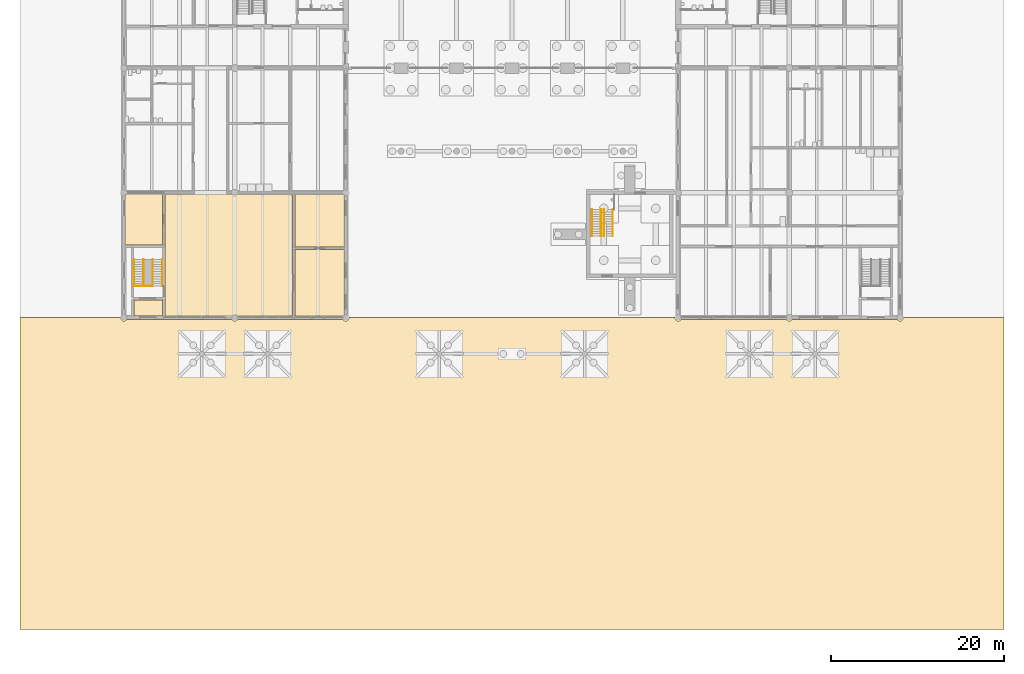
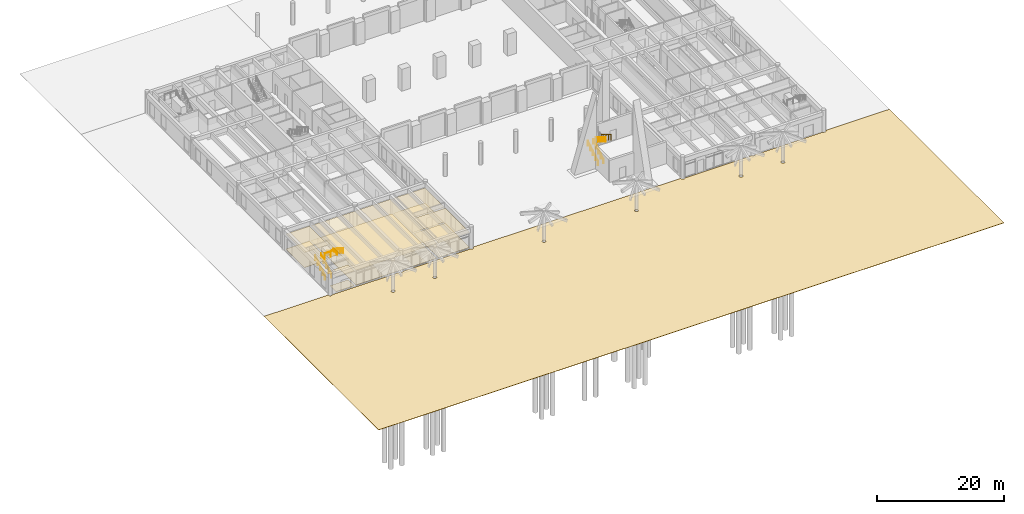
# One storey, part 23 of 28: 11 coverings, 9 railings.
"""IFC4 building model written with IfcOpenShell, lengths in metres."""

from ifc_helpers import new_model, si_unit, direction, frame, origin, origin_2d, place, context, subcontext, project, spatial, polyline, circle, outline, extrude, material, layer, layer_set, type_object, element, save


model = new_model("IFC4")

# Units and contexts
model_context = context("Model", 3, precision=1e-05, world=origin(), true_north=direction((0.0, 1.0)))
body_context = subcontext(model_context, "Body", "Model", "MODEL_VIEW")
ifc_project = project(units=[si_unit("LENGTHUNIT", "METRE"), si_unit("AREAUNIT", "SQUARE_METRE"), si_unit("VOLUMEUNIT", "CUBIC_METRE"), si_unit("PLANEANGLEUNIT", "RADIAN"), si_unit("MASSUNIT", "GRAM", prefix="KILO")], contexts=[model_context])

# Site, building, storey
site_placement = place(None, origin())
site = spatial("IfcSite", under=ifc_project, at=site_placement, CompositionType="ELEMENT")
building_placement = place(site_placement, origin())
building = spatial("IfcBuilding", under=site, at=building_placement, Name="Fogon Plaza Fire Station and Headquarters Tower", CompositionType="ELEMENT")
storey_placement = place(building_placement, origin())
storey = spatial("IfcBuildingStorey", under=building, at=storey_placement, Name="L00", CompositionType="ELEMENT", Elevation=0.0)

# Coverings
ifc_material_1 = material(Name="Carpet Tile Floor Finish")
ifc_layer_1 = layer(ifc_material_1, 0.011962890625)
ifc_layer_set_1 = layer_set([ifc_layer_1], Name="Carpet Tile Floor Finish")
covering_type_1 = type_object("IfcCoveringType", Name="Floor Finish Carpet 12", PredefinedType="FLOORING", material=ifc_layer_set_1)
covering_1_placement = place(storey_placement, origin())
element("IfcCovering", 1, at=covering_1_placement, inside=storey, type_object=covering_type_1, Name="floor-L00-W-duty", PredefinedType="FLOORING", context=body_context, shape_type="SweptSolid", body=[
    extrude(outline(polyline([(19.75, 8.14990234375), (19.75, 14.25), (25.449951171875, 14.25), (25.449951171875, 8.14990234375), (19.75, 8.14990234375)])), origin(), (0.0, 0.0, 1.0), 0.02490234375),
])
covering_2_placement = place(storey_placement, origin())
element("IfcCovering", 2, at=covering_2_placement, inside=storey, type_object=covering_type_1, Name="floor-L00-W-sec", PredefinedType="FLOORING", context=body_context, shape_type="SweptSolid", body=[
    extrude(outline(polyline([(0.14990234375, 8.35009765625), (0.14990234375, 14.25), (4.449951171875, 14.25), (4.449951171875, 8.35009765625), (0.14990234375, 8.35009765625)])), origin(), (0.0, 0.0, 1.0), 0.02490234375),
])
ifc_material_2 = material(Name="Terrazzo Floor Finish")
ifc_layer_2 = layer(ifc_material_2, 0.02490234375)
ifc_layer_set_2 = layer_set([ifc_layer_2], Name="Terrazzo Floor Finish")
covering_type_2 = type_object("IfcCoveringType", Name="Floor Finish Terrazzo 25", PredefinedType="FLOORING", material=ifc_layer_set_2)
covering_3_placement = place(storey_placement, origin())
element("IfcCovering", 3, at=covering_3_placement, inside=storey, type_object=covering_type_2, Name="floor-L00-W-hql", PredefinedType="FLOORING", context=body_context, shape_type="SweptSolid", body=[
    extrude(outline(polyline([(4.75, 0.14990234375), (4.75, 14.25), (19.449951171875, 14.25), (19.449951171875, 0.14990234375), (4.75, 0.14990234375)])), origin(), (0.0, 0.0, 1.0), 0.02490234375),
])
covering_4_placement = place(storey_placement, origin())
element("IfcCovering", 4, at=covering_4_placement, inside=storey, type_object=covering_type_2, Name="floor-L00-W-sel", PredefinedType="FLOORING", context=body_context, shape_type="SweptSolid", body=[
    extrude(outline(polyline([(19.75, 0.14990234375), (19.75, 7.85009765625), (25.449951171875, 7.85009765625), (25.449951171875, 0.14990234375), (19.75, 0.14990234375)])), origin(), (0.0, 0.0, 1.0), 0.02490234375),
])
ifc_material_3 = material(Name="Vinyl Floor Finish")
ifc_layer_3 = layer(ifc_material_3, 0.02490234375)
ifc_layer_set_3 = layer_set([ifc_layer_3], Name="Vinyl Floor Finish")
covering_type_3 = type_object("IfcCoveringType", Name="Floor Finish Vinyl 25", PredefinedType="FLOORING", material=ifc_layer_set_3)
covering_5_placement = place(storey_placement, origin())
element("IfcCovering", 5, at=covering_5_placement, inside=storey, type_object=covering_type_3, Name="Floor finish L00 west wing Stair Exit Passage South", PredefinedType="FLOORING", context=body_context, shape_type="SweptSolid", body=[
    extrude(outline(polyline([(1.14990234375, 0.14990234375), (1.14990234375, 2.050048828125), (4.449951171875, 2.050048828125), (4.449951171875, 0.14990234375), (1.14990234375, 0.14990234375)])), origin(), (0.0, 0.0, 1.0), 0.02490234375),
])
ifc_material_4 = material(Name="Granite paving", Category="masonry")
ifc_layer_4 = layer(ifc_material_4, 0.06005859375)
ifc_layer_set_4 = layer_set([ifc_layer_4], Name="Granite paving")
covering_type_4 = type_object("IfcCoveringType", Name="Granite Plaza Paving 60", PredefinedType="USERDEFINED", material=ifc_layer_set_4)
covering_6_placement = place(storey_placement, frame((0.0, 0.0, -0.06005859375)))
element("IfcCovering", 6, at=covering_6_placement, inside=storey, type_object=covering_type_4, Name="Paving plaza", ObjectType="PAVING", PredefinedType="USERDEFINED", context=body_context, shape_type="SweptSolid", body=[
    extrude(outline(polyline([(-11.9951171875, -35.9951171875), (-11.9951171875, 0.0), (-0.39990234375, 0.0), (-0.36962890625, -0.153076171875), (-0.28271484375, -0.28271484375), (-0.153076171875, -0.36962890625), (0.0, -0.39990234375), (0.153076171875, -0.36962890625), (0.28271484375, -0.28271484375), (0.321533203125, -0.22509765625), (12.478515625, -0.22509765625), (12.51708984375, -0.28271484375), (12.64697265625, -0.36962890625), (12.800048828125, -0.39990234375), (12.953125, -0.36962890625), (13.082763671875, -0.28271484375), (13.12158203125, -0.22509765625), (25.278564453125, -0.22509765625), (25.317138671875, -0.28271484375), (25.447021484375, -0.36962890625), (25.60009765625, -0.39990234375), (25.753173828125, -0.36962890625), (25.8828125, -0.28271484375), (25.969482421875, -0.153076171875), (26.0, 0.0), (63.60009765625, 0.0), (63.63037109375, -0.153076171875), (63.71728515625, -0.28271484375), (63.846923828125, -0.36962890625), (64.0, -0.39990234375), (64.153076171875, -0.36962890625), (64.28271484375, -0.28271484375), (64.321533203125, -0.22509765625), (76.478515625, -0.22509765625), (76.51708984375, -0.28271484375), (76.64697265625, -0.36962890625), (76.800048828125, -0.39990234375), (76.953125, -0.36962890625), (77.082763671875, -0.28271484375), (77.12158203125, -0.22509765625), (89.278564453125, -0.22509765625), (89.317138671875, -0.28271484375), (89.447021484375, -0.36962890625), (89.60009765625, -0.39990234375), (89.753173828125, -0.36962890625), (89.8828125, -0.28271484375), (89.969482421875, -0.153076171875), (90.0, 0.0), (101.594970703125, 0.0), (101.594970703125, -35.9951171875), (-11.9951171875, -35.9951171875)]), holes=[polyline([(16.485107421875, -4.477294921875), (16.60009765625, -4.5), (16.71484375, -4.477294921875), (16.81201171875, -4.412109375), (16.877197265625, -4.314697265625), (16.89990234375, -4.199951171875), (16.877197265625, -4.085205078125), (16.81201171875, -3.98779296875), (16.71484375, -3.9228515625), (16.60009765625, -3.89990234375), (16.485107421875, -3.9228515625), (16.387939453125, -3.98779296875), (16.32275390625, -4.085205078125), (16.300048828125, -4.199951171875), (16.32275390625, -4.314697265625), (16.387939453125, -4.412109375), (16.485107421875, -4.477294921875)]), polyline([(8.88525390625, -4.477294921875), (9.0, -4.5), (9.11474609375, -4.477294921875), (9.212158203125, -4.412109375), (9.277099609375, -4.314697265625), (9.300048828125, -4.199951171875), (9.277099609375, -4.085205078125), (9.212158203125, -3.98779296875), (9.11474609375, -3.9228515625), (9.0, -3.89990234375), (8.88525390625, -3.9228515625), (8.787841796875, -3.98779296875), (8.722900390625, -4.085205078125), (8.699951171875, -4.199951171875), (8.722900390625, -4.314697265625), (8.787841796875, -4.412109375), (8.88525390625, -4.477294921875)]), polyline([(36.28515625, -4.477294921875), (36.39990234375, -4.5), (36.514892578125, -4.477294921875), (36.612060546875, -4.412109375), (36.67724609375, -4.314697265625), (36.699951171875, -4.199951171875), (36.67724609375, -4.085205078125), (36.612060546875, -3.98779296875), (36.514892578125, -3.9228515625), (36.39990234375, -3.89990234375), (36.28515625, -3.9228515625), (36.18798828125, -3.98779296875), (36.122802734375, -4.085205078125), (36.10009765625, -4.199951171875), (36.122802734375, -4.314697265625), (36.18798828125, -4.412109375), (36.28515625, -4.477294921875)]), polyline([(53.085205078125, -4.477294921875), (53.199951171875, -4.5), (53.314697265625, -4.477294921875), (53.412109375, -4.412109375), (53.477294921875, -4.314697265625), (53.5, -4.199951171875), (53.477294921875, -4.085205078125), (53.412109375, -3.98779296875), (53.314697265625, -3.9228515625), (53.199951171875, -3.89990234375), (53.085205078125, -3.9228515625), (52.98779296875, -3.98779296875), (52.9228515625, -4.085205078125), (52.89990234375, -4.199951171875), (52.9228515625, -4.314697265625), (52.98779296875, -4.412109375), (53.085205078125, -4.477294921875)]), polyline([(71.98779296875, -4.412109375), (72.085205078125, -4.477294921875), (72.199951171875, -4.5), (72.314697265625, -4.477294921875), (72.412109375, -4.412109375), (72.477294921875, -4.314697265625), (72.5, -4.199951171875), (72.477294921875, -4.085205078125), (72.412109375, -3.98779296875), (72.314697265625, -3.9228515625), (72.199951171875, -3.89990234375), (72.085205078125, -3.9228515625), (71.98779296875, -3.98779296875), (71.9228515625, -4.085205078125), (71.89990234375, -4.199951171875), (71.9228515625, -4.314697265625), (71.98779296875, -4.412109375)]), polyline([(79.587890625, -4.412109375), (79.685302734375, -4.477294921875), (79.800048828125, -4.5), (79.914794921875, -4.477294921875), (80.01220703125, -4.412109375), (80.0771484375, -4.314697265625), (80.10009765625, -4.199951171875), (80.0771484375, -4.085205078125), (80.01220703125, -3.98779296875), (79.914794921875, -3.9228515625), (79.800048828125, -3.89990234375), (79.685302734375, -3.9228515625), (79.587890625, -3.98779296875), (79.522705078125, -4.085205078125), (79.5, -4.199951171875), (79.522705078125, -4.314697265625), (79.587890625, -4.412109375)])]), origin(), (0.0, 0.0, 1.0), 0.06005859375),
])

# Railings
ifc_material_5 = material(Name="Stainless Steel", Category="steel")
railing_type_1 = type_object("IfcRailingType", Name="Guard Steel 1100", PredefinedType="GUARDRAIL", material=ifc_material_5)
railing_1_placement = place(storey_placement, frame((1.125, 3.625, 4.199951171875)))
element("IfcRailing", 7, at=railing_1_placement, inside=storey, type_object=railing_type_1, Name="rail-ST6-L00-5", PredefinedType="GUARDRAIL", context=body_context, shape_type="SweptSolid", body=[
    extrude(circle(Radius=0.02392578125, at=origin_2d()), frame((0.0, 0.0, 1.076171875), z_axis=(1.0, 0.0, 0.0), x_axis=(0.0, 1.0, 0.0)), (0.0, 0.0, 1.0), 2.14990234375),
    extrude(circle(Radius=0.02099609375, at=origin_2d()), origin(), (0.0, 0.0, 1.0), 1.052001953125),
    extrude(circle(Radius=0.02099609375, at=origin_2d()), frame((1.074951171875, 0.0, 0.0)), (0.0, 0.0, 1.0), 1.052001953125),
    extrude(circle(Radius=0.02099609375, at=origin_2d()), frame((2.14990234375, 0.0, 0.0)), (0.0, 0.0, 1.0), 1.052001953125),
])
railing_2_placement = place(storey_placement, frame((56.429931640625, 12.47998046875, 2.27490234375)))
element("IfcRailing", 8, at=railing_2_placement, inside=storey, type_object=railing_type_1, Name="rail-DT1-L00-4", PredefinedType="GUARDRAIL", context=body_context, shape_type="SweptSolid", body=[
    extrude(circle(Radius=0.02392578125, at=origin_2d()), frame((0.0, 0.0, 1.076171875), z_axis=(0.0, -0.847998304005, 0.529998940003), x_axis=(1.0, 0.0, 0.0)), (0.0, 0.0, 1.0), 3.632080078125),
    extrude(circle(Radius=0.02099609375, at=origin_2d()), origin(), (0.0, 0.0, 1.0), 1.052001953125),
    extrude(circle(Radius=0.02099609375, at=origin_2d()), frame((0.0, -0.77001953125, 0.481201171875)), (0.0, 0.0, 1.0), 1.052001953125),
    extrude(circle(Radius=0.02099609375, at=origin_2d()), frame((0.0, -1.5400390625, 0.96240234375)), (0.0, 0.0, 1.0), 1.052001953125),
    extrude(circle(Radius=0.02099609375, at=origin_2d()), frame((0.0, -2.31005859375, 1.44384765625)), (0.0, 0.0, 1.0), 1.052001953125),
    extrude(circle(Radius=0.02099609375, at=origin_2d()), frame((0.0, -3.080078125, 1.925048828125)), (0.0, 0.0, 1.0), 1.052001953125),
])
ifc_material_6 = material(Name="Stainless Steel", Category="steel")
railing_type_2 = type_object("IfcRailingType", Name="Stair Handrail Steel 900", PredefinedType="HANDRAIL", material=ifc_material_6)
for number, where, name in (
    (9, (1.175048828125, 3.625, 0.175048828125), "rail-ST6-L00-1"),
    (10, (2.27490234375, 3.625, 0.175048828125), "rail-ST6-L00-2"),
):
    element("IfcRailing", number, at=place(storey_placement, frame(where)), inside=storey, type_object=railing_type_2, Name=name, PredefinedType="HANDRAIL", context=body_context, shape_type="SweptSolid", body=[
        extrude(circle(Radius=0.02392578125, at=origin_2d()), frame((0.0, 0.0, 0.8759765625), z_axis=(0.0, 0.847998304005, 0.529998940003), x_axis=(-1.0, 0.0, 0.0)), (0.0, 0.0, 1.0), 3.632080078125),
        extrude(circle(Radius=0.02099609375, at=origin_2d()), origin(), (0.0, 0.0, 1.0), 0.851806640625),
        extrude(circle(Radius=0.02099609375, at=origin_2d()), frame((0.0, 0.77001953125, 0.481201171875)), (0.0, 0.0, 1.0), 0.851806640625),
        extrude(circle(Radius=0.02099609375, at=origin_2d()), frame((0.0, 1.5400390625, 0.96240234375)), (0.0, 0.0, 1.0), 0.851806640625),
        extrude(circle(Radius=0.02099609375, at=origin_2d()), frame((0.0, 2.31005859375, 1.44384765625)), (0.0, 0.0, 1.0), 0.851806640625),
        extrude(circle(Radius=0.02099609375, at=origin_2d()), frame((0.0, 3.080078125, 1.925048828125)), (0.0, 0.0, 1.0), 0.851806640625),
    ])
for number, where, name in (
    (11, (3.324951171875, 6.705078125, 2.27490234375), "rail-ST6-L00-3"),
    (12, (4.425048828125, 6.705078125, 2.27490234375), "rail-ST6-L00-4"),
):
    element("IfcRailing", number, at=place(storey_placement, frame(where)), inside=storey, type_object=railing_type_2, Name=name, PredefinedType="HANDRAIL", context=body_context, shape_type="SweptSolid", body=[
        extrude(circle(Radius=0.02392578125, at=origin_2d()), frame((0.0, 0.0, 0.8759765625), z_axis=(0.0, -0.847998304005, 0.529998940003), x_axis=(1.0, 0.0, 0.0)), (0.0, 0.0, 1.0), 3.632080078125),
        extrude(circle(Radius=0.02099609375, at=origin_2d()), origin(), (0.0, 0.0, 1.0), 0.851806640625),
        extrude(circle(Radius=0.02099609375, at=origin_2d()), frame((0.0, -0.77001953125, 0.481201171875)), (0.0, 0.0, 1.0), 0.851806640625),
        extrude(circle(Radius=0.02099609375, at=origin_2d()), frame((0.0, -1.5400390625, 0.96240234375)), (0.0, 0.0, 1.0), 0.851806640625),
        extrude(circle(Radius=0.02099609375, at=origin_2d()), frame((0.0, -2.31005859375, 1.44384765625)), (0.0, 0.0, 1.0), 0.851806640625),
        extrude(circle(Radius=0.02099609375, at=origin_2d()), frame((0.0, -3.080078125, 1.925048828125)), (0.0, 0.0, 1.0), 0.851806640625),
    ])
for number, where, name in (
    (13, (54.050048828125, 9.39990234375, 0.175048828125), "rail-DT1-L00-1"),
    (14, (55.050048828125, 9.39990234375, 0.175048828125), "rail-DT1-L00-2"),
):
    element("IfcRailing", number, at=place(storey_placement, frame(where)), inside=storey, type_object=railing_type_2, Name=name, PredefinedType="HANDRAIL", context=body_context, shape_type="SweptSolid", body=[
        extrude(circle(Radius=0.02392578125, at=origin_2d()), frame((0.0, 0.0, 0.8759765625), z_axis=(0.0, 0.847998304005, 0.529998940003), x_axis=(-1.0, 0.0, 0.0)), (0.0, 0.0, 1.0), 3.632080078125),
        extrude(circle(Radius=0.02099609375, at=origin_2d()), origin(), (0.0, 0.0, 1.0), 0.851806640625),
        extrude(circle(Radius=0.02099609375, at=origin_2d()), frame((0.0, 0.77001953125, 0.481201171875)), (0.0, 0.0, 1.0), 0.851806640625),
        extrude(circle(Radius=0.02099609375, at=origin_2d()), frame((0.0, 1.5400390625, 0.96240234375)), (0.0, 0.0, 1.0), 0.851806640625),
        extrude(circle(Radius=0.02099609375, at=origin_2d()), frame((0.0, 2.31005859375, 1.44384765625)), (0.0, 0.0, 1.0), 0.851806640625),
        extrude(circle(Radius=0.02099609375, at=origin_2d()), frame((0.0, 3.080078125, 1.925048828125)), (0.0, 0.0, 1.0), 0.851806640625),
    ])
railing_3_placement = place(storey_placement, frame((55.429931640625, 12.47998046875, 2.27490234375)))
element("IfcRailing", 15, at=railing_3_placement, inside=storey, type_object=railing_type_2, Name="rail-DT1-L00-3", PredefinedType="HANDRAIL", context=body_context, shape_type="SweptSolid", body=[
    extrude(circle(Radius=0.02392578125, at=origin_2d()), frame((0.0, 0.0, 0.8759765625), z_axis=(0.0, -0.847998304005, 0.529998940003), x_axis=(1.0, 0.0, 0.0)), (0.0, 0.0, 1.0), 3.632080078125),
    extrude(circle(Radius=0.02099609375, at=origin_2d()), origin(), (0.0, 0.0, 1.0), 0.851806640625),
    extrude(circle(Radius=0.02099609375, at=origin_2d()), frame((0.0, -0.77001953125, 0.481201171875)), (0.0, 0.0, 1.0), 0.851806640625),
    extrude(circle(Radius=0.02099609375, at=origin_2d()), frame((0.0, -1.5400390625, 0.96240234375)), (0.0, 0.0, 1.0), 0.851806640625),
    extrude(circle(Radius=0.02099609375, at=origin_2d()), frame((0.0, -2.31005859375, 1.44384765625)), (0.0, 0.0, 1.0), 0.851806640625),
    extrude(circle(Radius=0.02099609375, at=origin_2d()), frame((0.0, -3.080078125, 1.925048828125)), (0.0, 0.0, 1.0), 0.851806640625),
])

# Coverings
ifc_material_7 = material(Name="Mineral Fibre Ceiling Tile")
ifc_layer_5 = layer(ifc_material_7, 0.02001953125)
ifc_layer_set_5 = layer_set([ifc_layer_5], Name="Mineral Fibre Ceiling Tile")
covering_type_5 = type_object("IfcCoveringType", Name="Suspended Ceiling 600x600", PredefinedType="CEILING", material=ifc_layer_set_5)
covering_7_placement = place(storey_placement, frame((0.0, 0.0, 2.8798828125)))
element("IfcCovering", 16, at=covering_7_placement, inside=storey, type_object=covering_type_5, Name="Ceiling finish L00 west wing Stair Exit Passage South", PredefinedType="CEILING", context=body_context, shape_type="SweptSolid", body=[
    extrude(outline(polyline([(1.14990234375, 0.14990234375), (1.14990234375, 2.050048828125), (4.449951171875, 2.050048828125), (4.449951171875, 0.14990234375), (1.14990234375, 0.14990234375)])), origin(), (0.0, 0.0, 1.0), 0.02001953125),
])
covering_8_placement = place(storey_placement, frame((0.0, 0.0, 2.8798828125)))
element("IfcCovering", 17, at=covering_8_placement, inside=storey, type_object=covering_type_5, Name="ceiling-L00-W-hql", PredefinedType="CEILING", context=body_context, shape_type="SweptSolid", body=[
    extrude(outline(polyline([(4.75, 0.14990234375), (4.75, 14.25), (19.449951171875, 14.25), (19.449951171875, 0.14990234375), (4.75, 0.14990234375)])), origin(), (0.0, 0.0, 1.0), 0.02001953125),
])
covering_9_placement = place(storey_placement, frame((0.0, 0.0, 2.8798828125)))
element("IfcCovering", 18, at=covering_9_placement, inside=storey, type_object=covering_type_5, Name="ceiling-L00-W-sel", PredefinedType="CEILING", context=body_context, shape_type="SweptSolid", body=[
    extrude(outline(polyline([(19.75, 0.14990234375), (19.75, 7.85009765625), (25.449951171875, 7.85009765625), (25.449951171875, 0.14990234375), (19.75, 0.14990234375)])), origin(), (0.0, 0.0, 1.0), 0.02001953125),
])
covering_10_placement = place(storey_placement, frame((0.0, 0.0, 2.8798828125)))
element("IfcCovering", 19, at=covering_10_placement, inside=storey, type_object=covering_type_5, Name="ceiling-L00-W-duty", PredefinedType="CEILING", context=body_context, shape_type="SweptSolid", body=[
    extrude(outline(polyline([(19.75, 8.14990234375), (19.75, 14.25), (25.449951171875, 14.25), (25.449951171875, 8.14990234375), (19.75, 8.14990234375)])), origin(), (0.0, 0.0, 1.0), 0.02001953125),
])
covering_11_placement = place(storey_placement, frame((0.0, 0.0, 2.8798828125)))
element("IfcCovering", 20, at=covering_11_placement, inside=storey, type_object=covering_type_5, Name="ceiling-L00-W-sec", PredefinedType="CEILING", context=body_context, shape_type="SweptSolid", body=[
    extrude(outline(polyline([(0.14990234375, 8.35009765625), (0.14990234375, 14.25), (4.449951171875, 14.25), (4.449951171875, 8.35009765625), (0.14990234375, 8.35009765625)])), origin(), (0.0, 0.0, 1.0), 0.02001953125),
])

save(model, "model.ifc")
